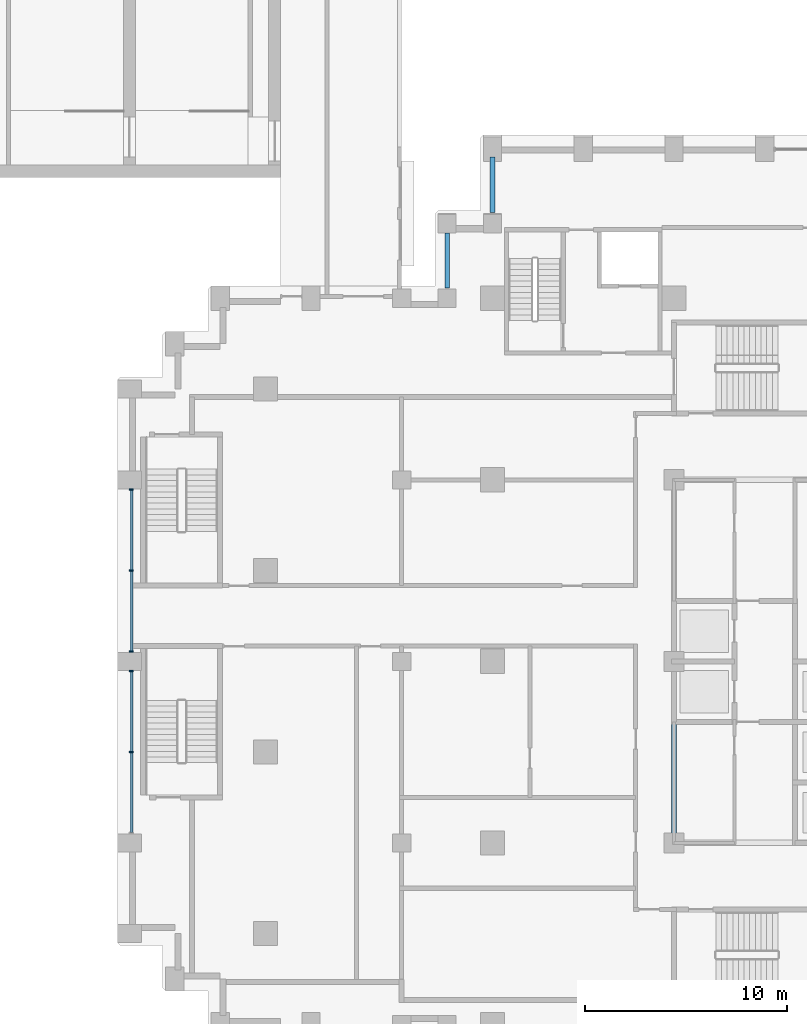
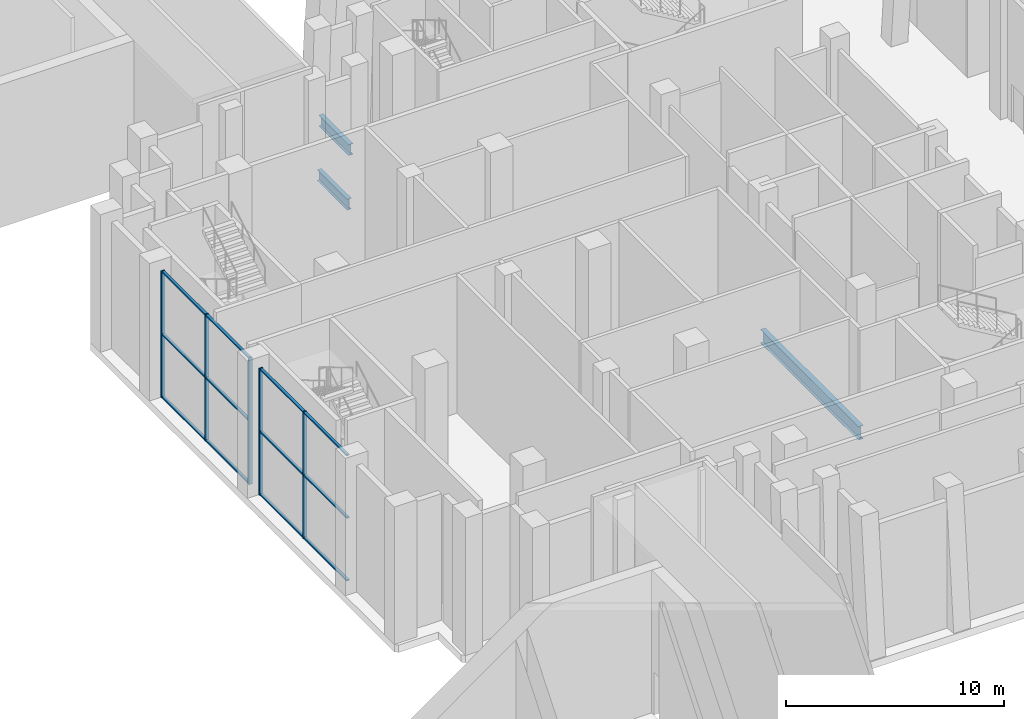
# One storey, part 4 of 24: 17 members, 3 beams, 2 elements without a shape of their own.
"""IFC4 building model written with IfcOpenShell, lengths in metres."""

from ifc_helpers import new_model, si_unit, direction, frame, origin, origin_2d, place, context, subcontext, project, spatial, rectangle, i_section, extrude, material, layer, layer_set, material_profile, profile_set, type_object, element, aggregate, save


model = new_model("IFC4")

# Units and contexts
model_context = context("Model", 3, precision=1e-05, world=origin(), true_north=direction((0.0, 1.0)))
body_context = subcontext(model_context, "Body", "Model", "MODEL_VIEW")
ifc_project = project(units=[si_unit("LENGTHUNIT", "METRE"), si_unit("AREAUNIT", "SQUARE_METRE"), si_unit("VOLUMEUNIT", "CUBIC_METRE"), si_unit("PLANEANGLEUNIT", "RADIAN"), si_unit("MASSUNIT", "GRAM", prefix="KILO")], contexts=[model_context])

# Site, building, storey
site_placement = place(None, origin())
site = spatial("IfcSite", under=ifc_project, at=site_placement, CompositionType="ELEMENT")
building_placement = place(site_placement, origin())
building = spatial("IfcBuilding", under=site, at=building_placement, Name="Corbelhall Arena Tower", CompositionType="ELEMENT")
storey_placement = place(building_placement, frame((0.0, 0.0, 60.0)))
storey = spatial("IfcBuildingStorey", under=building, at=storey_placement, Name="L08", CompositionType="ELEMENT", Elevation=60.0)

# Curtain wall, members
ifc_material_1 = material(Name="Aluminium black anodised", Category="aluminium")
ifc_layer = layer(ifc_material_1, 0.260009765625)
ifc_layer_set = layer_set([ifc_layer], Name="EV-CW6 Ground lobby glazing")
curtain_wall_type = type_object("IfcCurtainWallType", Name="EV-CW6 Ground lobby glazing", PredefinedType="NOTDEFINED", material=ifc_layer_set)
curtain_wall_1_placement = place(storey_placement, origin())
curtain_wall_1 = element("IfcCurtainWall", 1, at=curtain_wall_1_placement, inside=storey, type_object=curtain_wall_type, Name="Curtain wall CW6A", PredefinedType="NOTDEFINED")
ifc_material_profile_1 = material_profile(ifc_material_1, rectangle(XDim=0.199951171875, YDim=0.074951171875, at=origin_2d()))
ifc_profile_set_1 = profile_set([ifc_material_profile_1], Name="Aluminium black anodised")
member_type_1 = type_object("IfcMemberType", Name="EV-CW6-MULLION", PredefinedType="MULLION", material=ifc_profile_set_1)
member_1_placement = place(storey_placement, frame((-40.39990234375, 8.512451171875, 0.0), z_axis=(0.0, 0.0, 1.0), x_axis=(1.0, 0.0, 0.0)))
member_1 = element("IfcMember", 2, at=member_1_placement, type_object=member_type_1, Name="CW6A mullion 1", PredefinedType="MULLION", context=body_context, shape_type="SweptSolid", body=[
    extrude(rectangle(XDim=0.199951171875, YDim=0.074951171875, at=origin_2d()), origin(), (0.0, 0.0, 1.0), 7.10009765625),
])
member_2_placement = place(storey_placement, frame((-40.39990234375, 4.5, 0.0), z_axis=(0.0, 0.0, 1.0), x_axis=(1.0, 0.0, 0.0)))
member_2 = element("IfcMember", 3, at=member_2_placement, type_object=member_type_1, Name="CW6A mullion 2", PredefinedType="MULLION", context=body_context, shape_type="SweptSolid", body=[
    extrude(rectangle(XDim=0.199951171875, YDim=0.074951171875, at=origin_2d()), origin(), (0.0, 0.0, 1.0), 7.10009765625),
])
member_3_placement = place(storey_placement, frame((-40.39990234375, 0.487548828125, 0.0), z_axis=(0.0, 0.0, 1.0), x_axis=(1.0, 0.0, 0.0)))
member_3 = element("IfcMember", 4, at=member_3_placement, type_object=member_type_1, Name="CW6A mullion 3", PredefinedType="MULLION", context=body_context, shape_type="SweptSolid", body=[
    extrude(rectangle(XDim=0.199951171875, YDim=0.074951171875, at=origin_2d()), origin(), (0.0, 0.0, 1.0), 7.10009765625),
])

curtain_wall_2_placement = place(storey_placement, origin())
curtain_wall_2 = element("IfcCurtainWall", 5, at=curtain_wall_2_placement, inside=storey, type_object=curtain_wall_type, Name="Curtain wall CW6A", PredefinedType="NOTDEFINED")
member_4_placement = place(storey_placement, frame((-40.39990234375, -0.487548828125, 0.0), z_axis=(0.0, 0.0, 1.0), x_axis=(1.0, 0.0, 0.0)))
member_4 = element("IfcMember", 6, at=member_4_placement, type_object=member_type_1, Name="CW6A mullion 1", PredefinedType="MULLION", context=body_context, shape_type="SweptSolid", body=[
    extrude(rectangle(XDim=0.199951171875, YDim=0.074951171875, at=origin_2d()), origin(), (0.0, 0.0, 1.0), 7.10009765625),
])
member_5_placement = place(storey_placement, frame((-40.39990234375, -4.5, 0.0), z_axis=(0.0, 0.0, 1.0), x_axis=(1.0, 0.0, 0.0)))
member_5 = element("IfcMember", 7, at=member_5_placement, type_object=member_type_1, Name="CW6A mullion 2", PredefinedType="MULLION", context=body_context, shape_type="SweptSolid", body=[
    extrude(rectangle(XDim=0.199951171875, YDim=0.074951171875, at=origin_2d()), origin(), (0.0, 0.0, 1.0), 7.10009765625),
])

# Member
ifc_material_profile_2 = material_profile(ifc_material_1, rectangle(XDim=0.14990234375, YDim=0.074951171875, at=origin_2d()))
ifc_profile_set_2 = profile_set([ifc_material_profile_2], Name="Aluminium black anodised")
member_type_2 = type_object("IfcMemberType", Name="EV-CW6-TRANSOM", PredefinedType="USERDEFINED", material=ifc_profile_set_2)
member_6_placement = place(storey_placement, frame((-40.39990234375, 8.47509765625, 0.03759765625), z_axis=(0.0, -1.0, 0.0), x_axis=(1.0, 0.0, 0.0)))
member_6 = element("IfcMember", 8, at=member_6_placement, type_object=member_type_2, Name="CW6A transom 1.1", ObjectType="transom", PredefinedType="USERDEFINED", context=body_context, shape_type="SweptSolid", body=[
    extrude(rectangle(XDim=0.14990234375, YDim=0.074951171875, at=origin_2d()), origin(), (0.0, 0.0, 1.0), 3.9375),
])

member_7_placement = place(storey_placement, frame((-40.39990234375, 8.47509765625, 3.550048828125), z_axis=(0.0, -1.0, 0.0), x_axis=(1.0, 0.0, 0.0)))
member_7 = element("IfcMember", 9, at=member_7_placement, type_object=member_type_2, Name="CW6A transom 1.2", ObjectType="transom", PredefinedType="USERDEFINED", context=body_context, shape_type="SweptSolid", body=[
    extrude(rectangle(XDim=0.14990234375, YDim=0.074951171875, at=origin_2d()), origin(), (0.0, 0.0, 1.0), 3.9375),
])

member_8_placement = place(storey_placement, frame((-40.39990234375, 8.47509765625, 7.0625), z_axis=(0.0, -1.0, 0.0), x_axis=(1.0, 0.0, 0.0)))
member_8 = element("IfcMember", 10, at=member_8_placement, type_object=member_type_2, Name="CW6A transom 1.3", ObjectType="transom", PredefinedType="USERDEFINED", context=body_context, shape_type="SweptSolid", body=[
    extrude(rectangle(XDim=0.14990234375, YDim=0.074951171875, at=origin_2d()), origin(), (0.0, 0.0, 1.0), 3.9375),
])

member_9_placement = place(storey_placement, frame((-40.39990234375, 4.46240234375, 0.03759765625), z_axis=(0.0, -1.0, 0.0), x_axis=(1.0, 0.0, 0.0)))
member_9 = element("IfcMember", 11, at=member_9_placement, type_object=member_type_2, Name="CW6A transom 2.1", ObjectType="transom", PredefinedType="USERDEFINED", context=body_context, shape_type="SweptSolid", body=[
    extrude(rectangle(XDim=0.14990234375, YDim=0.074951171875, at=origin_2d()), origin(), (0.0, 0.0, 1.0), 3.9375),
])

member_10_placement = place(storey_placement, frame((-40.39990234375, 4.46240234375, 3.550048828125), z_axis=(0.0, -1.0, 0.0), x_axis=(1.0, 0.0, 0.0)))
member_10 = element("IfcMember", 12, at=member_10_placement, type_object=member_type_2, Name="CW6A transom 2.2", ObjectType="transom", PredefinedType="USERDEFINED", context=body_context, shape_type="SweptSolid", body=[
    extrude(rectangle(XDim=0.14990234375, YDim=0.074951171875, at=origin_2d()), origin(), (0.0, 0.0, 1.0), 3.9375),
])

member_11_placement = place(storey_placement, frame((-40.39990234375, 4.46240234375, 7.0625), z_axis=(0.0, -1.0, 0.0), x_axis=(1.0, 0.0, 0.0)))
member_11 = element("IfcMember", 13, at=member_11_placement, type_object=member_type_2, Name="CW6A transom 2.3", ObjectType="transom", PredefinedType="USERDEFINED", context=body_context, shape_type="SweptSolid", body=[
    extrude(rectangle(XDim=0.14990234375, YDim=0.074951171875, at=origin_2d()), origin(), (0.0, 0.0, 1.0), 3.9375),
])

aggregate(curtain_wall_1, [member_1, member_2, member_3, member_6, member_7, member_8, member_9, member_10, member_11])

member_12_placement = place(storey_placement, frame((-40.39990234375, -0.52490234375, 0.03759765625), z_axis=(0.0, -1.0, 0.0), x_axis=(1.0, 0.0, 0.0)))
member_12 = element("IfcMember", 14, at=member_12_placement, type_object=member_type_2, Name="CW6A transom 1.1", ObjectType="transom", PredefinedType="USERDEFINED", context=body_context, shape_type="SweptSolid", body=[
    extrude(rectangle(XDim=0.14990234375, YDim=0.074951171875, at=origin_2d()), origin(), (0.0, 0.0, 1.0), 3.9375),
])

member_13_placement = place(storey_placement, frame((-40.39990234375, -0.52490234375, 3.550048828125), z_axis=(0.0, -1.0, 0.0), x_axis=(1.0, 0.0, 0.0)))
member_13 = element("IfcMember", 15, at=member_13_placement, type_object=member_type_2, Name="CW6A transom 1.2", ObjectType="transom", PredefinedType="USERDEFINED", context=body_context, shape_type="SweptSolid", body=[
    extrude(rectangle(XDim=0.14990234375, YDim=0.074951171875, at=origin_2d()), origin(), (0.0, 0.0, 1.0), 3.9375),
])

member_14_placement = place(storey_placement, frame((-40.39990234375, -0.52490234375, 7.0625), z_axis=(0.0, -1.0, 0.0), x_axis=(1.0, 0.0, 0.0)))
member_14 = element("IfcMember", 16, at=member_14_placement, type_object=member_type_2, Name="CW6A transom 1.3", ObjectType="transom", PredefinedType="USERDEFINED", context=body_context, shape_type="SweptSolid", body=[
    extrude(rectangle(XDim=0.14990234375, YDim=0.074951171875, at=origin_2d()), origin(), (0.0, 0.0, 1.0), 3.9375),
])

member_15_placement = place(storey_placement, frame((-40.39990234375, -4.53759765625, 0.03759765625), z_axis=(0.0, -1.0, 0.0), x_axis=(1.0, 0.0, 0.0)))
member_15 = element("IfcMember", 17, at=member_15_placement, type_object=member_type_2, Name="CW6A transom 2.1", ObjectType="transom", PredefinedType="USERDEFINED", context=body_context, shape_type="SweptSolid", body=[
    extrude(rectangle(XDim=0.14990234375, YDim=0.074951171875, at=origin_2d()), origin(), (0.0, 0.0, 1.0), 3.9375),
])

member_16_placement = place(storey_placement, frame((-40.39990234375, -4.53759765625, 3.550048828125), z_axis=(0.0, -1.0, 0.0), x_axis=(1.0, 0.0, 0.0)))
member_16 = element("IfcMember", 18, at=member_16_placement, type_object=member_type_2, Name="CW6A transom 2.2", ObjectType="transom", PredefinedType="USERDEFINED", context=body_context, shape_type="SweptSolid", body=[
    extrude(rectangle(XDim=0.14990234375, YDim=0.074951171875, at=origin_2d()), origin(), (0.0, 0.0, 1.0), 3.9375),
])

member_17_placement = place(storey_placement, frame((-40.39990234375, -4.53759765625, 7.0625), z_axis=(0.0, -1.0, 0.0), x_axis=(1.0, 0.0, 0.0)))
member_17 = element("IfcMember", 19, at=member_17_placement, type_object=member_type_2, Name="CW6A transom 2.3", ObjectType="transom", PredefinedType="USERDEFINED", context=body_context, shape_type="SweptSolid", body=[
    extrude(rectangle(XDim=0.14990234375, YDim=0.074951171875, at=origin_2d()), origin(), (0.0, 0.0, 1.0), 3.9375),
])

aggregate(curtain_wall_2, [member_4, member_5, member_12, member_13, member_14, member_15, member_16, member_17])

# Beams
ifc_material_2 = material(Name="Steel ASTM A992 Gr50", Category="steel")
ifc_material_profile_3 = material_profile(ifc_material_2, i_section(OverallWidth=0.2666015625, OverallDepth=0.761962890625, WebThickness=0.014404296875, FlangeThickness=0.021484375, at=origin_2d()))
ifc_profile_set_3 = profile_set([ifc_material_profile_3], Name="Steel ASTM A992 Gr50")
beam_type_1 = type_object("IfcBeamType", Name="ST-BEAM-W30x116", PredefinedType="BEAM", material=ifc_profile_set_3)
beam_placement = place(storey_placement, frame((-13.5, -9.0, -0.791015625), z_axis=(0.0, 1.0, 0.0), x_axis=(-1.0, 0.0, 0.0)))
element("IfcBeam", 20, at=beam_placement, inside=storey, type_object=beam_type_1, Name="Beam CEW 1", PredefinedType="BEAM", context=body_context, shape_type="SweptSolid", body=[
    extrude(i_section(OverallWidth=0.2666015625, OverallDepth=0.761962890625, WebThickness=0.014404296875, FlangeThickness=0.021484375, at=origin_2d()), origin(), (0.0, 0.0, 1.0), 9.0),
])
ifc_material_profile_4 = material_profile(ifc_material_2, i_section(OverallWidth=0.23046875, OverallDepth=0.6171875, WebThickness=0.01318359375, FlangeThickness=0.022216796875, at=origin_2d()))
ifc_profile_set_4 = profile_set([ifc_material_profile_4], Name="Steel ASTM A992 Gr50")
beam_type_2 = type_object("IfcBeamType", Name="ST-SPANDREL-W24x94", PredefinedType="SPANDREL", material=ifc_profile_set_4)
for number, where, z_axis, x_axis, name in (
    (21, (-22.5, 22.25, -0.718505859375), (0.0, 1.0, 0.0), (-1.0, 0.0, 0.0), "Beam SP 42"),
    (22, (-24.75, 18.5, -0.718505859375), (0.0, 1.0, 0.0), (-1.0, 0.0, 0.0), "Beam SP 44"),
):
    element("IfcBeam", number, at=place(storey_placement, frame(where, z_axis=z_axis, x_axis=x_axis)), inside=storey, type_object=beam_type_2, Name=name, PredefinedType="SPANDREL", context=body_context, shape_type="SweptSolid", body=[
        extrude(i_section(OverallWidth=0.23046875, OverallDepth=0.6171875, WebThickness=0.01318359375, FlangeThickness=0.022216796875, at=origin_2d()), origin(), (0.0, 0.0, 1.0), 2.75),
    ])

save(model, "model.ifc")
